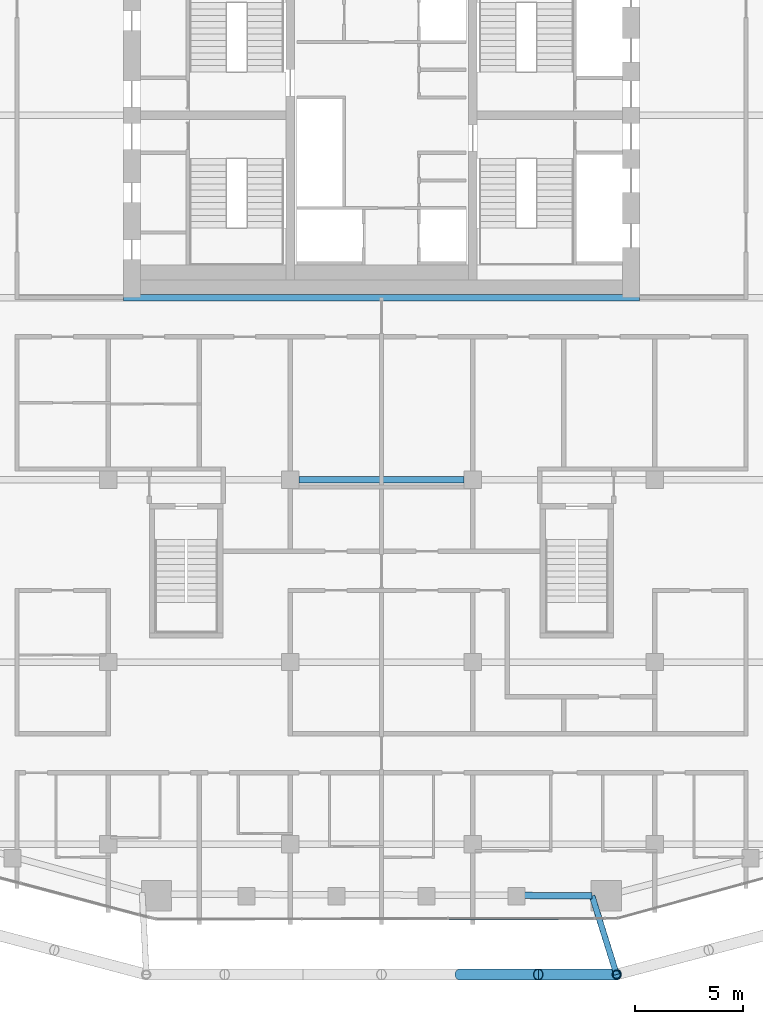
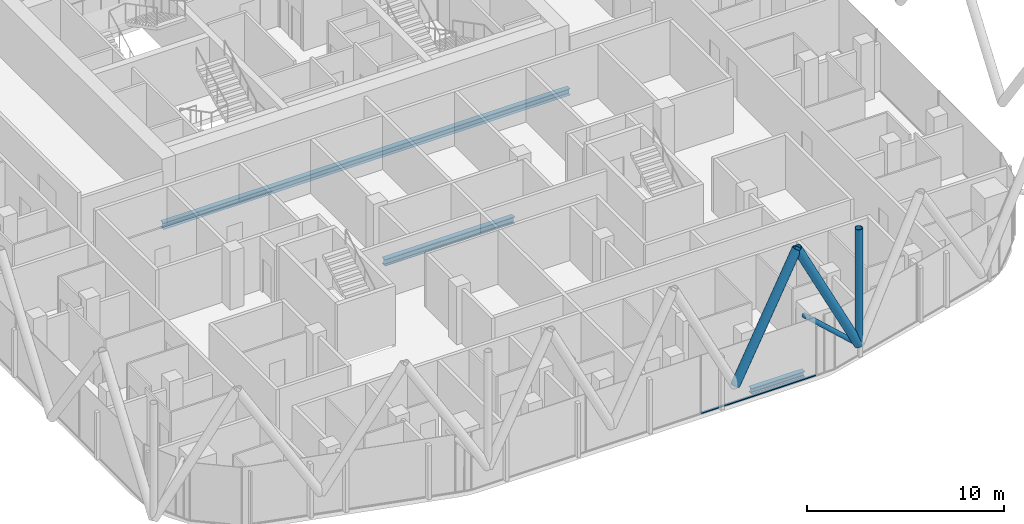
# One storey, part 5 of 28: 5 members, 3 beams, 1 element without a shape of its own.
"""IFC4 building model written with IfcOpenShell, lengths in metres."""

from ifc_helpers import new_model, si_unit, direction, frame, origin, origin_2d, place, context, subcontext, project, spatial, rectangle, hollow_circle, i_section, extrude, material, layer, layer_set, material_profile, profile_set, type_object, element, aggregate, save


model = new_model("IFC4")

# Units and contexts
model_context = context("Model", 3, precision=1e-05, world=origin(), true_north=direction((0.0, 1.0)))
body_context = subcontext(model_context, "Body", "Model", "MODEL_VIEW")
ifc_project = project(units=[si_unit("LENGTHUNIT", "METRE"), si_unit("AREAUNIT", "SQUARE_METRE"), si_unit("VOLUMEUNIT", "CUBIC_METRE"), si_unit("PLANEANGLEUNIT", "RADIAN"), si_unit("MASSUNIT", "GRAM", prefix="KILO")], contexts=[model_context])

# Site, building, storey
site_placement = place(None, origin())
site = spatial("IfcSite", under=ifc_project, at=site_placement, CompositionType="ELEMENT")
building_placement = place(site_placement, origin())
building = spatial("IfcBuilding", under=site, at=building_placement, Name="Marenta Gate Hotel Tower", CompositionType="ELEMENT")
storey_placement = place(building_placement, frame((0.0, 0.0, 212.89990234375)))
storey = spatial("IfcBuildingStorey", under=building, at=storey_placement, Name="L49", CompositionType="ELEMENT", Elevation=212.89990234375)

# Members
ifc_material_1 = material(Name="Steel S355J2W", Category="steel")
ifc_material_profile_1 = material_profile(ifc_material_1, hollow_circle(Radius=0.203125, WallThickness=0.02490234375, at=origin_2d()), Name="CHS 406.4x25")
ifc_profile_set_1 = profile_set([ifc_material_profile_1], Name="Steel S355J2W")
member_type_1 = type_object("IfcMemberType", Name="Diagrid corner post Z3 CHS 406.4x25", PredefinedType="POST", material=ifc_profile_set_1)
member_1_placement = place(storey_placement, frame((10.839111328125, -31.199951171875, 3.14013671875), z_axis=(0.0, 0.0, 1.0), x_axis=(1.0, 0.0, 0.0)))
element("IfcMember", 1, at=member_1_placement, inside=storey, type_object=member_type_1, Name="L49-DR-3", PredefinedType="POST", context=body_context, shape_type="SweptSolid", body=[
    extrude(hollow_circle(Radius=0.203125, WallThickness=0.02490234375, at=origin_2d()), origin(), (0.0, 0.0, 1.0), 7.199951171875),
])
ifc_material_2 = material(Name="Steel S355J2W", Category="steel")
ifc_material_profile_2 = material_profile(ifc_material_2, hollow_circle(Radius=0.25390625, WallThickness=0.02490234375, at=origin_2d()), Name="CHS 508x25")
ifc_profile_set_2 = profile_set([ifc_material_profile_2], Name="Steel S355J2W")
member_type_2 = type_object("IfcMemberType", Name="Diagrid diagonal Z3 CHS 508x25", PredefinedType="BRACE", material=ifc_profile_set_2)
for number, where, z_axis, x_axis, name in (
    (2, (10.839111328125, -31.199951171875, 3.14013671875), (-0.44851025603, 0.0, 0.893777685018), (0.0, -1.0, 0.0), "L49-DG-15"),
    (3, (3.613037109375, -31.199951171875, 3.14013671875), (0.44851025603, 0.0, 0.893777685018), (0.0, 1.0, 0.0), "L49-DG-16"),
):
    element("IfcMember", number, at=place(storey_placement, frame(where, z_axis=z_axis, x_axis=x_axis)), inside=storey, type_object=member_type_2, Name=name, PredefinedType="BRACE", context=body_context, shape_type="SweptSolid", body=[
        extrude(hollow_circle(Radius=0.25390625, WallThickness=0.02490234375, at=origin_2d()), origin(), (0.0, 0.0, 1.0), 8.0556640625),
    ])

# Beam
ifc_material_3 = material(Name="Steel S355", Category="steel")
ifc_material_profile_3 = material_profile(ifc_material_3, i_section(OverallWidth=0.300048828125, OverallDepth=0.340087890625, WebThickness=0.011962890625, FlangeThickness=0.021484375, FilletRadius=0.027099609375, at=origin_2d()), Name="HEB 340")
ifc_profile_set_3 = profile_set([ifc_material_profile_3], Name="Steel S355")
beam_type_1 = type_object("IfcBeamType", Name="Edge beam HEB 340", PredefinedType="SPANDREL", material=ifc_profile_set_3)
beam_1_placement = place(storey_placement, frame((9.706298828125, -27.570068359375, -0.429931640625), z_axis=(-0.999992678531, 0.003826602206, 0.0), x_axis=(-0.003826602206, -0.999992678531, 0.0)))
element("IfcBeam", 4, at=beam_1_placement, inside=storey, type_object=beam_type_1, Name="L49-EB-32", PredefinedType="SPANDREL", context=body_context, shape_type="SweptSolid", body=[
    extrude(i_section(OverallWidth=0.300048828125, OverallDepth=0.340087890625, WebThickness=0.011962890625, FlangeThickness=0.021484375, FilletRadius=0.027099609375, at=origin_2d()), origin(), (0.0, 0.0, 1.0), 3.126220703125),
])

# Member
ifc_material_4 = material(Name="Steel S355J2W", Category="steel")
ifc_material_profile_4 = material_profile(ifc_material_4, hollow_circle(Radius=0.136474609375, WallThickness=0.012451171875, at=origin_2d()), Name="CHS 273x12.5")
ifc_profile_set_4 = profile_set([ifc_material_profile_4], Name="Steel S355J2W")
member_type_3 = type_object("IfcMemberType", Name="Floor tie CHS 273x12.5", PredefinedType="STRUT", material=ifc_profile_set_4)
member_2_placement = place(storey_placement, frame((10.839111328125, -31.199951171875, 3.14013671875), z_axis=(-0.297897789013, 0.954597772521, 0.0), x_axis=(-0.954597772521, -0.297897789013, 0.0)))
element("IfcMember", 5, at=member_2_placement, inside=storey, type_object=member_type_3, Name="L49-DR-9", PredefinedType="STRUT", context=body_context, shape_type="SweptSolid", body=[
    extrude(hollow_circle(Radius=0.136474609375, WallThickness=0.012451171875, at=origin_2d()), origin(), (0.0, 0.0, 1.0), 3.796142578125),
])

# Beams
ifc_material_5 = material(Name="Steel S355", Category="steel")
ifc_material_profile_5 = material_profile(ifc_material_5, i_section(OverallWidth=0.300048828125, OverallDepth=0.39990234375, WebThickness=0.013427734375, FlangeThickness=0.02392578125, FilletRadius=0.027099609375, at=origin_2d()), Name="HEB 400")
ifc_profile_set_5 = profile_set([ifc_material_profile_5], Name="Steel S355")
beam_type_2 = type_object("IfcBeamType", Name="Girder HEB 400", PredefinedType="BEAM", material=ifc_profile_set_5)
beam_2_placement = place(storey_placement, frame((-3.800048828125, -8.39990234375, -0.4599609375), z_axis=(1.0, 0.0, 0.0), x_axis=(0.0, 1.0, 0.0)))
element("IfcBeam", 6, at=beam_2_placement, inside=storey, type_object=beam_type_2, Name="L49-GD-16", PredefinedType="BEAM", context=body_context, shape_type="SweptSolid", body=[
    extrude(i_section(OverallWidth=0.300048828125, OverallDepth=0.39990234375, WebThickness=0.013427734375, FlangeThickness=0.02392578125, FilletRadius=0.027099609375, at=origin_2d()), origin(), (0.0, 0.0, 1.0), 7.60009765625),
])
beam_3_placement = place(storey_placement, frame((-11.89990234375, 0.0, -0.4599609375), z_axis=(1.0, 0.0, 0.0), x_axis=(0.0, 1.0, 0.0)))
element("IfcBeam", 7, at=beam_3_placement, inside=storey, type_object=beam_type_2, Name="L49-GD-22", PredefinedType="BEAM", context=body_context, shape_type="SweptSolid", body=[
    extrude(i_section(OverallWidth=0.300048828125, OverallDepth=0.39990234375, WebThickness=0.013427734375, FlangeThickness=0.02392578125, FilletRadius=0.027099609375, at=origin_2d()), origin(), (0.0, 0.0, 1.0), 23.7998046875),
])

# Curtain wall, member
ifc_material_6 = material(Name="Tinted insulated glass in bronze anodised frame", Category="glass")
ifc_layer = layer(ifc_material_6, 0.1201171875)
ifc_layer_set = layer_set([ifc_layer], Name="Tinted insulated glass in bronze anodised frame")
curtain_wall_type = type_object("IfcCurtainWallType", Name="Tower unitised curtain wall CW1", PredefinedType="NOTDEFINED", material=ifc_layer_set)
curtain_wall_placement = place(storey_placement, origin())
curtain_wall = element("IfcCurtainWall", 8, at=curtain_wall_placement, inside=storey, type_object=curtain_wall_type, Name="CW1 run G12", PredefinedType="NOTDEFINED")
ifc_material_7 = material(Name="Bronze anodised aluminium", Category="aluminium")
ifc_material_profile_6 = material_profile(ifc_material_7, rectangle(XDim=0.1201171875, YDim=0.06005859375, at=origin_2d()), Name="Transom CW1 60x120 bronze anodised aluminium")
ifc_profile_set_6 = profile_set([ifc_material_profile_6], Name="Bronze anodised aluminium")
member_type_4 = type_object("IfcMemberType", Name="Transom CW1 60x120 bronze anodised aluminium", PredefinedType="USERDEFINED", material=ifc_profile_set_6)
member_3_placement = place(storey_placement, frame((3.09130859375, -28.625244140625, 0.030029296875), z_axis=(0.999998657061, 0.001638864432, 0.0), x_axis=(-0.001638864432, 0.999998657061, 0.0)))
member_3 = element("IfcMember", 9, at=member_3_placement, type_object=member_type_4, Name="CW1 transom 3.1", ObjectType="TRANSOM", PredefinedType="USERDEFINED", context=body_context, shape_type="SweptSolid", body=[
    extrude(rectangle(XDim=0.1201171875, YDim=0.06005859375, at=origin_2d()), origin(), (0.0, 0.0, 1.0), 6.70361328125),
])
aggregate(curtain_wall, [member_3])

save(model, "model.ifc")
